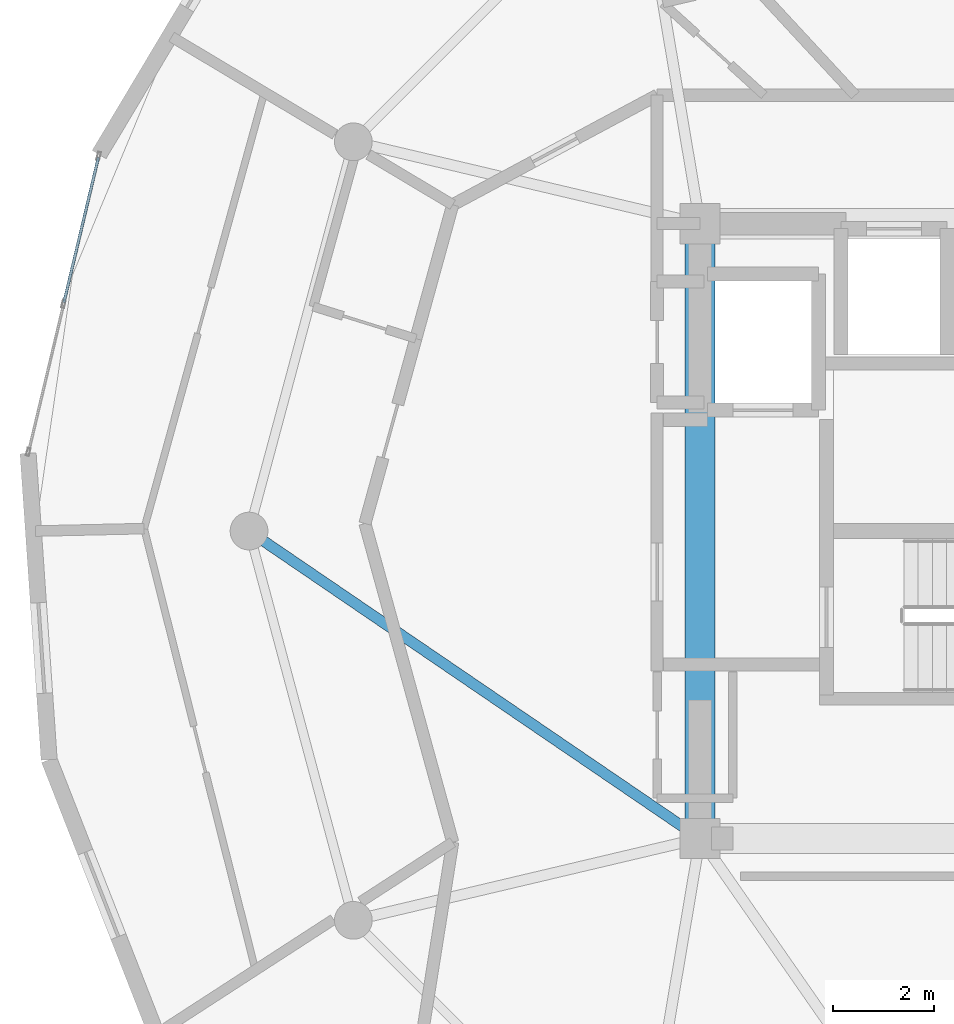
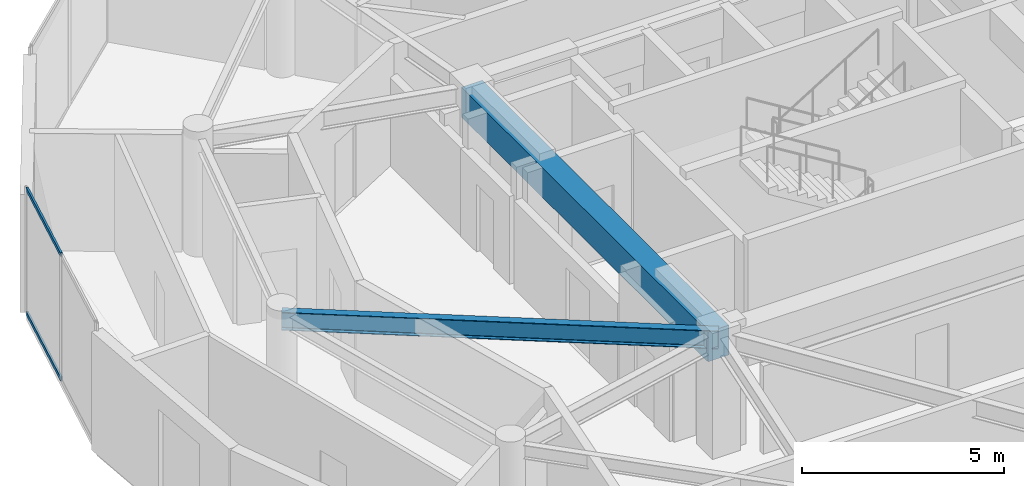
# One storey, part 8 of 22: 2 beams, 2 members, 1 element without a shape of its own.
"""IFC4 building model written with IfcOpenShell, lengths in metres."""

from ifc_helpers import new_model, si_unit, direction, frame, origin, origin_2d, place, context, subcontext, project, spatial, rectangle, hollow_rectangle, i_section, extrude, source, transform, mapped, material, layer, layer_set, material_profile, profile_set, type_object, element, aggregate, save


model = new_model("IFC4")

# Units and contexts
model_context = context("Model", 3, precision=1e-05, world=origin(), true_north=direction((0.0, 1.0)))
body_context = subcontext(model_context, "Body", "Model", "MODEL_VIEW")
ifc_project = project(units=[si_unit("LENGTHUNIT", "METRE"), si_unit("AREAUNIT", "SQUARE_METRE"), si_unit("VOLUMEUNIT", "CUBIC_METRE"), si_unit("PLANEANGLEUNIT", "RADIAN"), si_unit("MASSUNIT", "GRAM", prefix="KILO")], contexts=[model_context])

# Site, building, storey
site_placement = place(None, origin())
site = spatial("IfcSite", under=ifc_project, at=site_placement, CompositionType="ELEMENT")
building_placement = place(site_placement, origin())
building = spatial("IfcBuilding", under=site, at=building_placement, Name="Solvirekh Grand Hotel", CompositionType="ELEMENT")
storey_placement = place(building_placement, frame((0.0, 0.0, 293.39990234375)))
storey = spatial("IfcBuildingStorey", under=building, at=storey_placement, Name="L76", CompositionType="ELEMENT", Elevation=293.39990234375)

# Beams
ifc_material_1 = material(Name="Concrete C50/60", Category="concrete")
ifc_material_profile_1 = material_profile(ifc_material_1, rectangle(XDim=0.60009765625, YDim=0.89990234375, at=origin_2d()), Name="RC BEAM 600X900")
ifc_profile_set_1 = profile_set([ifc_material_profile_1], Name="Concrete C50/60")
beam_type_1 = type_object("IfcBeamType", Name="Beam_Core_RC900", PredefinedType="BEAM", material=ifc_profile_set_1)
beam_1_placement = place(storey_placement, frame((-6.5, 6.10009765625, 3.1201171875), z_axis=(0.0, -1.0, 0.0), x_axis=(1.0, 0.0, 0.0)))
element("IfcBeam", 1, at=beam_1_placement, inside=storey, type_object=beam_type_1, Name="L76 core coupling ring beam 4", PredefinedType="BEAM", context=body_context, shape_type="SweptSolid", body=[
    extrude(rectangle(XDim=0.60009765625, YDim=0.89990234375, at=origin_2d()), origin(), (0.0, 0.0, 1.0), 12.2001953125),
])
ifc_material_2 = material(Name="Steel S355", Category="steel")
ifc_material_profile_2 = material_profile(ifc_material_2, i_section(OverallWidth=0.2119140625, OverallDepth=0.5439453125, WebThickness=0.011962890625, FlangeThickness=0.01904296875, FilletRadius=0.013916015625, at=origin_2d()), Name="W530X123")
ifc_profile_set_2 = profile_set([ifc_material_profile_2], Name="Steel S355")
beam_type_2 = type_object("IfcBeamType", Name="Beam_Radial_W530H", PredefinedType="BEAM", material=ifc_profile_set_2)
beam_2_placement = place(storey_placement, frame((-6.5, -6.10009765625, 3.298095703125), z_axis=(-0.826319370306, 0.563201827285, 0.0), x_axis=(-0.563201827285, -0.826319370306, 0.0)))
element("IfcBeam", 2, at=beam_2_placement, inside=storey, type_object=beam_type_2, Name="L76 radial floor beam R07", PredefinedType="BEAM", context=body_context, shape_type="SweptSolid", body=[
    extrude(i_section(OverallWidth=0.2119140625, OverallDepth=0.5439453125, WebThickness=0.011962890625, FlangeThickness=0.01904296875, FilletRadius=0.013916015625, at=origin_2d()), origin(), (0.0, 0.0, 1.0), 10.8310546875),
])

# Curtain wall, members
ifc_material_3 = material(Name="Anodized Bronze Aluminium 6063-T6", Category="aluminium")
ifc_layer = layer(ifc_material_3, 0.159912109375)
ifc_layer_set = layer_set([ifc_layer], Name="Anodized Bronze Aluminium 6063-T6")
curtain_wall_type = type_object("IfcCurtainWallType", Name="CW_Sys4_HighZoneFlushBronzeCW", PredefinedType="NOTDEFINED", material=ifc_layer_set)
curtain_wall_placement = place(storey_placement, origin())
curtain_wall = element("IfcCurtainWall", 3, at=curtain_wall_placement, inside=storey, type_object=curtain_wall_type, Name="L76 unitised bronze-glass curtain wall CW-L76-C15", PredefinedType="NOTDEFINED")
ifc_material_profile_3 = material_profile(ifc_material_3, hollow_rectangle(XDim=0.054931640625, YDim=0.1201171875, WallThickness=0.00390625, at=origin_2d()), Name="ALU RHS 120X55X4")
ifc_profile_set_3 = profile_set([ifc_material_profile_3], Name="Anodized Bronze Aluminium 6063-T6")
member_type = type_object("IfcMemberType", Name="CWTransom_Sys4", PredefinedType="USERDEFINED", material=ifc_profile_set_3)
shared_shape = source(origin(), body_context, "Body", "SweptSolid", [
    extrude(hollow_rectangle(XDim=0.054931640625, YDim=0.1201171875, WallThickness=0.00390625, at=origin_2d()), origin(), (0.0, 0.0, 1.0), 2.95751953125),
])
member_1_placement = place(storey_placement, frame((-18.43994140625, 7.41455078125, 0.027587890625), z_axis=(-0.231293165418, -0.972884099793, 0.0), x_axis=(0.972884099793, -0.231293165418, 0.0)))
member_1 = element("IfcMember", 4, at=member_1_placement, type_object=member_type, Name="U04 transom 1.1", ObjectType="TRANSOM", PredefinedType="USERDEFINED", context=body_context, shape_type="MappedRepresentation", body=[
    mapped(shared_shape, transform((0.0, 0.0, 0.0), x_axis=(1.0, 0.0, 0.0), y_axis=(0.0, 1.0, 0.0), z_axis=(0.0, 0.0, 1.0), scale=1.0)),
])
member_2_placement = place(storey_placement, frame((-18.43994140625, 7.41455078125, 3.772705078125), z_axis=(-0.231293165418, -0.972884099793, 0.0), x_axis=(0.972884099793, -0.231293165418, 0.0)))
member_2 = element("IfcMember", 5, at=member_2_placement, type_object=member_type, Name="U04 transom 1.2", ObjectType="TRANSOM", PredefinedType="USERDEFINED", context=body_context, shape_type="MappedRepresentation", body=[
    mapped(shared_shape, transform((0.0, 0.0, 0.0), x_axis=(1.0, 0.0, 0.0), y_axis=(0.0, 1.0, 0.0), z_axis=(0.0, 0.0, 1.0), scale=1.0)),
])
aggregate(curtain_wall, [member_1, member_2])

save(model, "model.ifc")
